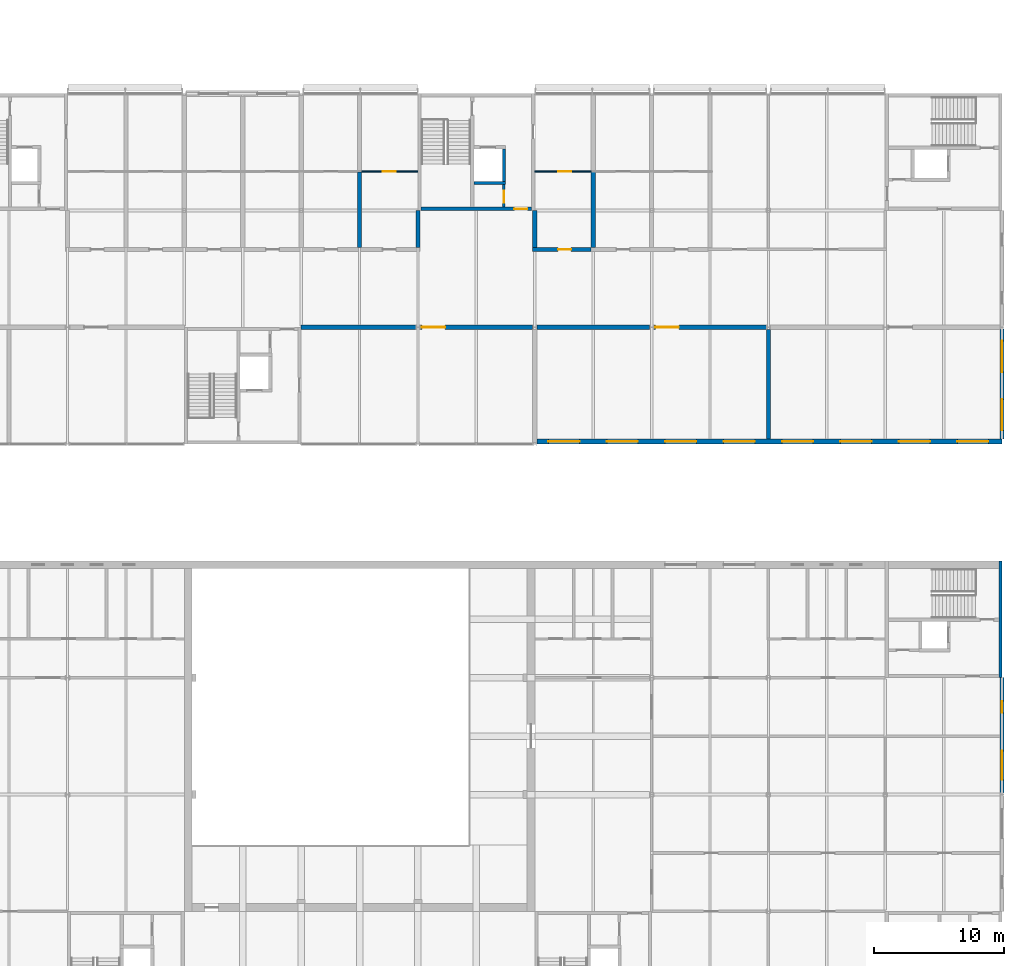
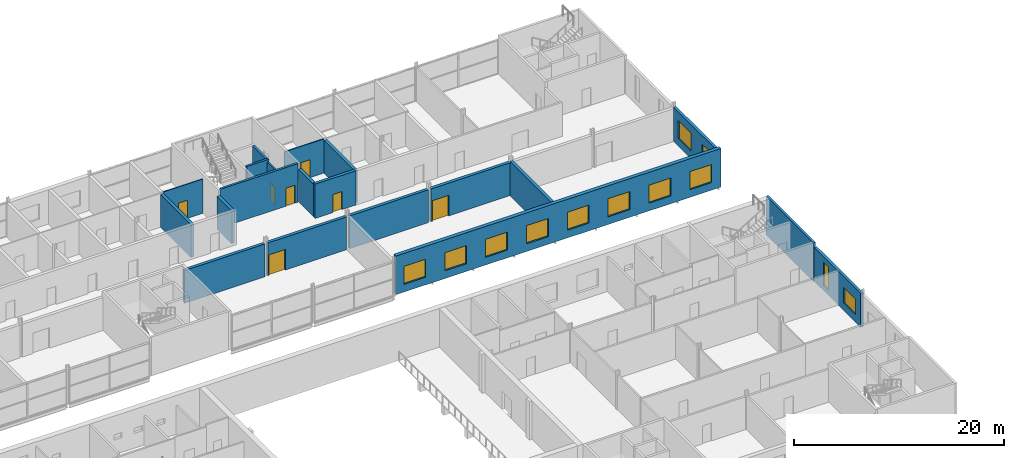
# One storey, part 85 of 97: 20 walls, 12 windows, 7 doors, 19 openings.
"""IFC4 building model written with IfcOpenShell, lengths in metres."""

from ifc_helpers import new_model, si_unit, direction, frame, frame_2d, origin, place, context, subcontext, project, spatial, rectangle, extrude, material, layer, layer_set, type_object, element, fill, save


model = new_model("IFC4")

# Units and contexts
model_context = context("Model", 3, precision=1e-05, world=origin(), true_north=direction((0.0, 1.0)))
body_context = subcontext(model_context, "Body", "Model", "MODEL_VIEW")
ifc_project = project(units=[si_unit("LENGTHUNIT", "METRE"), si_unit("AREAUNIT", "SQUARE_METRE"), si_unit("VOLUMEUNIT", "CUBIC_METRE"), si_unit("PLANEANGLEUNIT", "RADIAN"), si_unit("MASSUNIT", "GRAM", prefix="KILO")], contexts=[model_context])

# Site, building, storey
site_placement = place(None, origin())
site = spatial("IfcSite", under=ifc_project, at=site_placement, CompositionType="ELEMENT")
building_placement = place(site_placement, origin())
building = spatial("IfcBuilding", under=site, at=building_placement, Name="Corbel Yard City Hall", CompositionType="ELEMENT")
storey_placement = place(building_placement, frame((0.0, 0.0, 6.0)))
storey = spatial("IfcBuildingStorey", under=building, at=storey_placement, Name="L01", CompositionType="ELEMENT", Elevation=6.0)

# Wall, openings, windows
ifc_material_1 = material(Name="Concrete N50 (50 MPa)", Category="concrete")
ifc_layer_1 = layer(ifc_material_1, 0.39990234375)
ifc_layer_set_1 = layer_set([ifc_layer_1], Name="Concrete N50 (50 MPa)")
wall_type_1 = type_object("IfcWallType", Name="Bearing wall 400", PredefinedType="SHEAR", material=ifc_layer_set_1)
wall_1_placement = place(storey_placement, frame((144.159912109375, 90.199951171875, 0.0), z_axis=(0.0, 0.0, 1.0), x_axis=(1.0, 0.0, 0.0)))
wall_1 = element("IfcWall", 1, at=wall_1_placement, inside=storey, type_object=wall_type_1, Name="Bearing wall L01 above the ramp trough", PredefinedType="SHEAR", context=body_context, shape_type="SweptSolid", body=[
    extrude(rectangle(XDim=35.840087890625, YDim=0.39990234375, at=frame_2d((17.919921875, 0.0))), origin(), (0.0, 0.0, 1.0), 4.5),
])
opening_1_placement = place(wall_1_placement, frame((0.889892578125, 0.0, 0.89990234375)))
opening_1 = element("IfcOpeningElement", 2, at=opening_1_placement, cuts=wall_1, Name="Opening WN8", PredefinedType="OPENING", context=body_context, shape_type="SweptSolid", body=[
    extrude(rectangle(XDim=2.39990234375, YDim=2.10009765625, at=frame_2d((1.199951171875, 1.050048828125))), frame((0.0, 0.2099609375, 0.0), z_axis=(0.0, -1.0, 0.0), x_axis=(1.0, 0.0, 0.0)), (0.0, 0.0, 1.0), 0.419921875),
])
opening_2_placement = place(wall_1_placement, frame((5.389892578125, 0.0, 0.89990234375)))
opening_2 = element("IfcOpeningElement", 3, at=opening_2_placement, cuts=wall_1, Name="Opening WN8", PredefinedType="OPENING", context=body_context, shape_type="SweptSolid", body=[
    extrude(rectangle(XDim=2.39990234375, YDim=2.10009765625, at=frame_2d((1.199951171875, 1.050048828125))), frame((0.0, 0.2099609375, 0.0), z_axis=(0.0, -1.0, 0.0), x_axis=(1.0, 0.0, 0.0)), (0.0, 0.0, 1.0), 0.419921875),
])
opening_3_placement = place(wall_1_placement, frame((9.889892578125, 0.0, 0.89990234375)))
opening_3 = element("IfcOpeningElement", 4, at=opening_3_placement, cuts=wall_1, Name="Opening WN8", PredefinedType="OPENING", context=body_context, shape_type="SweptSolid", body=[
    extrude(rectangle(XDim=2.39990234375, YDim=2.10009765625, at=frame_2d((1.199951171875, 1.050048828125))), frame((0.0, 0.2099609375, 0.0), z_axis=(0.0, -1.0, 0.0), x_axis=(1.0, 0.0, 0.0)), (0.0, 0.0, 1.0), 0.419921875),
])
opening_4_placement = place(wall_1_placement, frame((14.389892578125, 0.0, 0.89990234375)))
opening_4 = element("IfcOpeningElement", 5, at=opening_4_placement, cuts=wall_1, Name="Opening WN8", PredefinedType="OPENING", context=body_context, shape_type="SweptSolid", body=[
    extrude(rectangle(XDim=2.39990234375, YDim=2.10009765625, at=frame_2d((1.199951171875, 1.050048828125))), frame((0.0, 0.2099609375, 0.0), z_axis=(0.0, -1.0, 0.0), x_axis=(1.0, 0.0, 0.0)), (0.0, 0.0, 1.0), 0.419921875),
])
opening_5_placement = place(wall_1_placement, frame((18.889892578125, 0.0, 0.89990234375)))
opening_5 = element("IfcOpeningElement", 6, at=opening_5_placement, cuts=wall_1, Name="Opening WN8", PredefinedType="OPENING", context=body_context, shape_type="SweptSolid", body=[
    extrude(rectangle(XDim=2.39990234375, YDim=2.10009765625, at=frame_2d((1.199951171875, 1.050048828125))), frame((0.0, 0.2099609375, 0.0), z_axis=(0.0, -1.0, 0.0), x_axis=(1.0, 0.0, 0.0)), (0.0, 0.0, 1.0), 0.419921875),
])
opening_6_placement = place(wall_1_placement, frame((23.389892578125, 0.0, 0.89990234375)))
opening_6 = element("IfcOpeningElement", 7, at=opening_6_placement, cuts=wall_1, Name="Opening WN8", PredefinedType="OPENING", context=body_context, shape_type="SweptSolid", body=[
    extrude(rectangle(XDim=2.39990234375, YDim=2.10009765625, at=frame_2d((1.199951171875, 1.050048828125))), frame((0.0, 0.2099609375, 0.0), z_axis=(0.0, -1.0, 0.0), x_axis=(1.0, 0.0, 0.0)), (0.0, 0.0, 1.0), 0.419921875),
])
opening_7_placement = place(wall_1_placement, frame((27.889892578125, 0.0, 0.89990234375)))
opening_7 = element("IfcOpeningElement", 8, at=opening_7_placement, cuts=wall_1, Name="Opening WN8", PredefinedType="OPENING", context=body_context, shape_type="SweptSolid", body=[
    extrude(rectangle(XDim=2.39990234375, YDim=2.10009765625, at=frame_2d((1.199951171875, 1.050048828125))), frame((0.0, 0.2099609375, 0.0), z_axis=(0.0, -1.0, 0.0), x_axis=(1.0, 0.0, 0.0)), (0.0, 0.0, 1.0), 0.419921875),
])
opening_8_placement = place(wall_1_placement, frame((32.389892578125, 0.0, 0.89990234375)))
opening_8 = element("IfcOpeningElement", 9, at=opening_8_placement, cuts=wall_1, Name="Opening WN8", PredefinedType="OPENING", context=body_context, shape_type="SweptSolid", body=[
    extrude(rectangle(XDim=2.39990234375, YDim=2.10009765625, at=frame_2d((1.199951171875, 1.050048828125))), frame((0.0, 0.2099609375, 0.0), z_axis=(0.0, -1.0, 0.0), x_axis=(1.0, 0.0, 0.0)), (0.0, 0.0, 1.0), 0.419921875),
])
ifc_material_2 = material(Name="Aluminium frame, double glazed low-e glass", Category="aluminium")
window_type_1 = type_object("IfcWindowType", Name="WN8", PartitioningType="SINGLE_PANEL", PredefinedType="WINDOW", material=ifc_material_2)
window_1_placement = place(opening_1_placement, origin())
window_1 = element("IfcWindow", 10, at=window_1_placement, inside=storey, type_object=window_type_1, Name="Window WN8 L01", OverallHeight=2.10009765625, OverallWidth=2.39990234375, PartitioningType="SINGLE_PANEL", PredefinedType="WINDOW", context=body_context, shape_type="SweptSolid", body=[
    extrude(rectangle(XDim=2.39990234375, YDim=2.10009765625, at=frame_2d((1.199951171875, 1.050048828125))), frame((0.0, 0.030029296875, 0.0), z_axis=(0.0, -1.0, 0.0), x_axis=(1.0, 0.0, 0.0)), (0.0, 0.0, 1.0), 0.06005859375),
])
fill(opening_1, window_1)
window_2_placement = place(opening_2_placement, origin())
window_2 = element("IfcWindow", 11, at=window_2_placement, inside=storey, type_object=window_type_1, Name="Window WN8 L01", OverallHeight=2.10009765625, OverallWidth=2.39990234375, PartitioningType="SINGLE_PANEL", PredefinedType="WINDOW", context=body_context, shape_type="SweptSolid", body=[
    extrude(rectangle(XDim=2.39990234375, YDim=2.10009765625, at=frame_2d((1.199951171875, 1.050048828125))), frame((0.0, 0.030029296875, 0.0), z_axis=(0.0, -1.0, 0.0), x_axis=(1.0, 0.0, 0.0)), (0.0, 0.0, 1.0), 0.06005859375),
])
fill(opening_2, window_2)
window_3_placement = place(opening_3_placement, origin())
window_3 = element("IfcWindow", 12, at=window_3_placement, inside=storey, type_object=window_type_1, Name="Window WN8 L01", OverallHeight=2.10009765625, OverallWidth=2.39990234375, PartitioningType="SINGLE_PANEL", PredefinedType="WINDOW", context=body_context, shape_type="SweptSolid", body=[
    extrude(rectangle(XDim=2.39990234375, YDim=2.10009765625, at=frame_2d((1.199951171875, 1.050048828125))), frame((0.0, 0.030029296875, 0.0), z_axis=(0.0, -1.0, 0.0), x_axis=(1.0, 0.0, 0.0)), (0.0, 0.0, 1.0), 0.06005859375),
])
fill(opening_3, window_3)
window_4_placement = place(opening_4_placement, origin())
window_4 = element("IfcWindow", 13, at=window_4_placement, inside=storey, type_object=window_type_1, Name="Window WN8 L01", OverallHeight=2.10009765625, OverallWidth=2.39990234375, PartitioningType="SINGLE_PANEL", PredefinedType="WINDOW", context=body_context, shape_type="SweptSolid", body=[
    extrude(rectangle(XDim=2.39990234375, YDim=2.10009765625, at=frame_2d((1.199951171875, 1.050048828125))), frame((0.0, 0.030029296875, 0.0), z_axis=(0.0, -1.0, 0.0), x_axis=(1.0, 0.0, 0.0)), (0.0, 0.0, 1.0), 0.06005859375),
])
fill(opening_4, window_4)
window_5_placement = place(opening_5_placement, origin())
window_5 = element("IfcWindow", 14, at=window_5_placement, inside=storey, type_object=window_type_1, Name="Window WN8 L01", OverallHeight=2.10009765625, OverallWidth=2.39990234375, PartitioningType="SINGLE_PANEL", PredefinedType="WINDOW", context=body_context, shape_type="SweptSolid", body=[
    extrude(rectangle(XDim=2.39990234375, YDim=2.10009765625, at=frame_2d((1.199951171875, 1.050048828125))), frame((0.0, 0.030029296875, 0.0), z_axis=(0.0, -1.0, 0.0), x_axis=(1.0, 0.0, 0.0)), (0.0, 0.0, 1.0), 0.06005859375),
])
fill(opening_5, window_5)
window_6_placement = place(opening_6_placement, origin())
window_6 = element("IfcWindow", 15, at=window_6_placement, inside=storey, type_object=window_type_1, Name="Window WN8 L01", OverallHeight=2.10009765625, OverallWidth=2.39990234375, PartitioningType="SINGLE_PANEL", PredefinedType="WINDOW", context=body_context, shape_type="SweptSolid", body=[
    extrude(rectangle(XDim=2.39990234375, YDim=2.10009765625, at=frame_2d((1.199951171875, 1.050048828125))), frame((0.0, 0.030029296875, 0.0), z_axis=(0.0, -1.0, 0.0), x_axis=(1.0, 0.0, 0.0)), (0.0, 0.0, 1.0), 0.06005859375),
])
fill(opening_6, window_6)
window_7_placement = place(opening_7_placement, origin())
window_7 = element("IfcWindow", 16, at=window_7_placement, inside=storey, type_object=window_type_1, Name="Window WN8 L01", OverallHeight=2.10009765625, OverallWidth=2.39990234375, PartitioningType="SINGLE_PANEL", PredefinedType="WINDOW", context=body_context, shape_type="SweptSolid", body=[
    extrude(rectangle(XDim=2.39990234375, YDim=2.10009765625, at=frame_2d((1.199951171875, 1.050048828125))), frame((0.0, 0.030029296875, 0.0), z_axis=(0.0, -1.0, 0.0), x_axis=(1.0, 0.0, 0.0)), (0.0, 0.0, 1.0), 0.06005859375),
])
fill(opening_7, window_7)
window_8_placement = place(opening_8_placement, origin())
window_8 = element("IfcWindow", 17, at=window_8_placement, inside=storey, type_object=window_type_1, Name="Window WN8 L01", OverallHeight=2.10009765625, OverallWidth=2.39990234375, PartitioningType="SINGLE_PANEL", PredefinedType="WINDOW", context=body_context, shape_type="SweptSolid", body=[
    extrude(rectangle(XDim=2.39990234375, YDim=2.10009765625, at=frame_2d((1.199951171875, 1.050048828125))), frame((0.0, 0.030029296875, 0.0), z_axis=(0.0, -1.0, 0.0), x_axis=(1.0, 0.0, 0.0)), (0.0, 0.0, 1.0), 0.06005859375),
])
fill(opening_8, window_8)

# Wall
ifc_layer_2 = layer(ifc_material_1, 0.25)
ifc_layer_set_2 = layer_set([ifc_layer_2], Name="Concrete N50 (50 MPa)")
wall_type_2 = type_object("IfcWallType", Name="Core cell wall 250", PredefinedType="SHEAR", material=ifc_layer_set_2)
wall_2_placement = place(storey_placement, frame((179.875, 72.0, 0.0), z_axis=(0.0, 0.0, 1.0), x_axis=(0.0, 1.0, 0.0)))
element("IfcWall", 18, at=wall_2_placement, inside=storey, type_object=wall_type_2, Name="Core PC-M8 east wall", PredefinedType="SHEAR", context=body_context, shape_type="SweptSolid", body=[
    extrude(rectangle(XDim=9.0, YDim=0.25, at=frame_2d((4.5, 0.0))), origin(), (0.0, 0.0, 1.0), 4.5),
])

# Wall, opening, door
wall_3_placement = place(storey_placement, frame((135.25, 108.125, 0.0), z_axis=(0.0, 0.0, 1.0), x_axis=(1.0, 0.0, 0.0)))
wall_3 = element("IfcWall", 19, at=wall_3_placement, inside=storey, type_object=wall_type_2, Name="Core PC-N3 south wall", PredefinedType="SHEAR", context=body_context, shape_type="SweptSolid", body=[
    extrude(rectangle(XDim=8.5, YDim=0.25, at=frame_2d((4.25, 0.0))), origin(), (0.0, 0.0, 1.0), 4.5),
])
opening_9_placement = place(wall_3_placement, frame((7.175048828125, 0.0, 0.0)))
opening_9 = element("IfcOpeningElement", 20, at=opening_9_placement, cuts=wall_3, Name="Opening L01-157", PredefinedType="OPENING", context=body_context, shape_type="SweptSolid", body=[
    extrude(rectangle(XDim=1.0, YDim=2.10009765625, at=frame_2d((0.5, 1.050048828125))), frame((0.0, 0.135009765625, 0.0), z_axis=(0.0, -1.0, 0.0), x_axis=(1.0, 0.0, 0.0)), (0.0, 0.0, 1.0), 0.27001953125),
])
ifc_material_3 = material(Name="Steel Grade G250", Category="steel")
door_type_1 = type_object("IfcDoorType", Name="FS1", OperationType="SINGLE_SWING_LEFT", PredefinedType="DOOR", material=ifc_material_3)
door_1_placement = place(opening_9_placement, origin())
door_1 = element("IfcDoor", 21, at=door_1_placement, inside=storey, type_object=door_type_1, Name="Door Lift Lobby", OperationType="SINGLE_SWING_RIGHT", OverallHeight=2.10009765625, OverallWidth=1.0, PredefinedType="DOOR", context=body_context, shape_type="SweptSolid", body=[
    extrude(rectangle(XDim=1.0, YDim=2.10009765625, at=frame_2d((0.5, 1.050048828125))), frame((0.0, 0.02490234375, 0.0), z_axis=(0.0, -1.0, 0.0), x_axis=(1.0, 0.0, 0.0)), (0.0, 0.0, 1.0), 0.050048828125),
])
fill(opening_9, door_1)

# Wall, openings, windows
ifc_material_4 = material(Name="Sandstone cladding", Category="masonry")
ifc_layer_3 = layer(ifc_material_4, 0.0400390625)
ifc_material_5 = material(Name="Air cavity", Category="air")
ifc_layer_4 = layer(ifc_material_5, 0.0400390625)
ifc_material_6 = material(Name="Concrete block", Category="concrete")
ifc_layer_5 = layer(ifc_material_6, 0.18994140625)
ifc_material_7 = material(Name="Gypsum plasterboard", Category="gypsum")
ifc_layer_6 = layer(ifc_material_7, 0.030029296875)
ifc_layer_set_3 = layer_set([ifc_layer_3, ifc_layer_4, ifc_layer_5, ifc_layer_6], Name="Concrete block")
wall_type_3 = type_object("IfcWallType", Name="EW1", PredefinedType="SOLIDWALL", material=ifc_layer_set_3)
wall_4_placement = place(storey_placement, frame((180.0, 63.1279296875, 0.0), z_axis=(0.0, 0.0, 1.0), x_axis=(0.0, 1.0, 0.0)))
wall_4 = element("IfcWall", 22, at=wall_4_placement, inside=storey, type_object=wall_type_3, Name="External wall", PredefinedType="SOLIDWALL", context=body_context, shape_type="SweptSolid", body=[
    extrude(rectangle(XDim=8.8720703125, YDim=0.300048828125, at=frame_2d((4.43603515625, 0.0))), origin(), (0.0, 0.0, 1.0), 3.947021484375),
])
opening_10_placement = place(wall_4_placement, frame((0.9970703125, 0.0, 0.89990234375)))
opening_10 = element("IfcOpeningElement", 23, at=opening_10_placement, cuts=wall_4, Name="Opening WN15", PredefinedType="OPENING", context=body_context, shape_type="SweptSolid", body=[
    extrude(rectangle(XDim=2.25, YDim=1.800048828125, at=frame_2d((1.125, 0.89990234375))), frame((0.0, 0.159912109375, 0.0), z_axis=(0.0, -1.0, 0.0), x_axis=(1.0, 0.0, 0.0)), (0.0, 0.0, 1.0), 0.320068359375),
])
opening_11_placement = place(wall_4_placement, frame((6.172119140625, 0.0, 0.60009765625)))
opening_11 = element("IfcOpeningElement", 24, at=opening_11_placement, cuts=wall_4, Name="Opening WN14", PredefinedType="OPENING", context=body_context, shape_type="SweptSolid", body=[
    extrude(rectangle(XDim=0.89990234375, YDim=2.699951171875, at=frame_2d((0.449951171875, 1.35009765625))), frame((0.0, 0.159912109375, 0.0), z_axis=(0.0, -1.0, 0.0), x_axis=(1.0, 0.0, 0.0)), (0.0, 0.0, 1.0), 0.320068359375),
])
window_type_2 = type_object("IfcWindowType", Name="WN14", PartitioningType="SINGLE_PANEL", PredefinedType="WINDOW", material=ifc_material_2)
window_9_placement = place(opening_11_placement, origin())
window_9 = element("IfcWindow", 25, at=window_9_placement, inside=storey, type_object=window_type_2, Name="Window WN14 L01", OverallHeight=2.699951171875, OverallWidth=0.89990234375, PartitioningType="SINGLE_PANEL", PredefinedType="WINDOW", context=body_context, shape_type="SweptSolid", body=[
    extrude(rectangle(XDim=0.89990234375, YDim=2.699951171875, at=frame_2d((0.449951171875, 1.35009765625))), frame((0.0, 0.030029296875, 0.0), z_axis=(0.0, -1.0, 0.0), x_axis=(1.0, 0.0, 0.0)), (0.0, 0.0, 1.0), 0.06005859375),
])
fill(opening_11, window_9)
window_type_3 = type_object("IfcWindowType", Name="WN15", PartitioningType="SINGLE_PANEL", PredefinedType="WINDOW", material=ifc_material_2)
window_10_placement = place(opening_10_placement, origin())
window_10 = element("IfcWindow", 26, at=window_10_placement, inside=storey, type_object=window_type_3, Name="Window WN15 L01", OverallHeight=1.800048828125, OverallWidth=2.25, PartitioningType="SINGLE_PANEL", PredefinedType="WINDOW", context=body_context, shape_type="SweptSolid", body=[
    extrude(rectangle(XDim=2.25, YDim=1.800048828125, at=frame_2d((1.125, 0.89990234375))), frame((0.0, 0.030029296875, 0.0), z_axis=(0.0, -1.0, 0.0), x_axis=(1.0, 0.0, 0.0)), (0.0, 0.0, 1.0), 0.06005859375),
])
fill(opening_10, window_10)

wall_5_placement = place(storey_placement, frame((180.0, 90.39990234375, 0.0), z_axis=(0.0, 0.0, 1.0), x_axis=(0.0, 1.0, 0.0)))
wall_5 = element("IfcWall", 27, at=wall_5_placement, inside=storey, type_object=wall_type_3, Name="External wall", PredefinedType="SOLIDWALL", context=body_context, shape_type="SweptSolid", body=[
    extrude(rectangle(XDim=8.47216796875, YDim=0.300048828125, at=frame_2d((4.236083984375, 0.0))), origin(), (0.0, 0.0, 1.0), 3.990966796875),
])
opening_12_placement = place(wall_5_placement, frame((0.64990234375, 0.0, 0.89990234375)))
opening_12 = element("IfcOpeningElement", 28, at=opening_12_placement, cuts=wall_5, Name="Opening WN8", PredefinedType="OPENING", context=body_context, shape_type="SweptSolid", body=[
    extrude(rectangle(XDim=2.39990234375, YDim=2.10009765625, at=frame_2d((1.199951171875, 1.050048828125))), frame((0.0, 0.159912109375, 0.0), z_axis=(0.0, -1.0, 0.0), x_axis=(1.0, 0.0, 0.0)), (0.0, 0.0, 1.0), 0.320068359375),
])
opening_13_placement = place(wall_5_placement, frame((5.14990234375, 0.0, 0.89990234375)))
opening_13 = element("IfcOpeningElement", 29, at=opening_13_placement, cuts=wall_5, Name="Opening WN8", PredefinedType="OPENING", context=body_context, shape_type="SweptSolid", body=[
    extrude(rectangle(XDim=2.39990234375, YDim=2.10009765625, at=frame_2d((1.199951171875, 1.050048828125))), frame((0.0, 0.159912109375, 0.0), z_axis=(0.0, -1.0, 0.0), x_axis=(1.0, 0.0, 0.0)), (0.0, 0.0, 1.0), 0.320068359375),
])
window_11_placement = place(opening_12_placement, origin())
window_11 = element("IfcWindow", 30, at=window_11_placement, inside=storey, type_object=window_type_1, Name="Window WN8 L01", OverallHeight=2.10009765625, OverallWidth=2.39990234375, PartitioningType="SINGLE_PANEL", PredefinedType="WINDOW", context=body_context, shape_type="SweptSolid", body=[
    extrude(rectangle(XDim=2.39990234375, YDim=2.10009765625, at=frame_2d((1.199951171875, 1.050048828125))), frame((0.0, 0.030029296875, 0.0), z_axis=(0.0, -1.0, 0.0), x_axis=(1.0, 0.0, 0.0)), (0.0, 0.0, 1.0), 0.06005859375),
])
fill(opening_12, window_11)
window_12_placement = place(opening_13_placement, origin())
window_12 = element("IfcWindow", 31, at=window_12_placement, inside=storey, type_object=window_type_1, Name="Window WN8 L01", OverallHeight=2.10009765625, OverallWidth=2.39990234375, PartitioningType="SINGLE_PANEL", PredefinedType="WINDOW", context=body_context, shape_type="SweptSolid", body=[
    extrude(rectangle(XDim=2.39990234375, YDim=2.10009765625, at=frame_2d((1.199951171875, 1.050048828125))), frame((0.0, 0.030029296875, 0.0), z_axis=(0.0, -1.0, 0.0), x_axis=(1.0, 0.0, 0.0)), (0.0, 0.0, 1.0), 0.06005859375),
])
fill(opening_13, window_12)

# Walls
ifc_material_8 = material(Name="Concrete N40 (40 MPa)", Category="concrete")
ifc_layer_7 = layer(ifc_material_8, 0.25)
ifc_layer_set_4 = layer_set([ifc_layer_7], Name="Concrete N40 (40 MPa)")
wall_type_4 = type_object("IfcWallType", Name="IW2", PredefinedType="SOLIDWALL", material=ifc_layer_set_4)
wall_6_placement = place(storey_placement, frame((139.300048828125, 110.125, 0.0), z_axis=(0.0, 0.0, 1.0), x_axis=(1.0, 0.0, 0.0)))
element("IfcWall", 32, at=wall_6_placement, inside=storey, type_object=wall_type_4, Name="Lift LP18 shaft wall", PredefinedType="SOLIDWALL", context=body_context, shape_type="SweptSolid", body=[
    extrude(rectangle(XDim=2.449951171875, YDim=0.25, at=frame_2d((1.22509765625, 0.0))), origin(), (0.0, 0.0, 1.0), 4.5),
])
wall_7_placement = place(storey_placement, frame((141.625, 110.25, 0.0), z_axis=(0.0, 0.0, 1.0), x_axis=(0.0, 1.0, 0.0)))
element("IfcWall", 33, at=wall_7_placement, inside=storey, type_object=wall_type_4, Name="Lift LP18 shaft wall", PredefinedType="SOLIDWALL", context=body_context, shape_type="SweptSolid", body=[
    extrude(rectangle(XDim=2.5, YDim=0.25, at=frame_2d((1.25, 0.0))), origin(), (0.0, 0.0, 1.0), 4.5),
])
ifc_layer_8 = layer(ifc_material_7, 0.031982421875)
ifc_material_9 = material(Name="Steel Grade G550 (550 MPa yield)", Category="steel")
ifc_layer_9 = layer(ifc_material_9, 0.260986328125)
ifc_layer_10 = layer(ifc_material_7, 0.031982421875)
ifc_layer_set_5 = layer_set([ifc_layer_8, ifc_layer_9, ifc_layer_10], Name="Steel Grade G550 (550 MPa yield)")
wall_type_5 = type_object("IfcWallType", Name="PT20", PredefinedType="PARTITIONING", material=ifc_layer_set_5)
wall_8_placement = place(storey_placement, frame((126.0, 99.0, 0.0), z_axis=(0.0, 0.0, 1.0), x_axis=(1.0, 0.0, 0.0)))
element("IfcWall", 34, at=wall_8_placement, inside=storey, type_object=wall_type_5, Name="Acoustic partition", PredefinedType="PARTITIONING", context=body_context, shape_type="SweptSolid", body=[
    extrude(rectangle(XDim=8.842529296875, YDim=0.324951171875, at=frame_2d((4.42138671875, 0.0))), origin(), (0.0, 0.0, 1.0), 3.822021484375),
])

# Wall, opening, door
wall_9_placement = place(storey_placement, frame((135.157470703125, 99.0, 0.0), z_axis=(0.0, 0.0, 1.0), x_axis=(1.0, 0.0, 0.0)))
wall_9 = element("IfcWall", 35, at=wall_9_placement, inside=storey, type_object=wall_type_5, Name="Acoustic partition", PredefinedType="PARTITIONING", context=body_context, shape_type="SweptSolid", body=[
    extrude(rectangle(XDim=8.68505859375, YDim=0.324951171875, at=frame_2d((4.342529296875, 0.0))), origin(), (0.0, 0.0, 1.0), 3.822021484375),
])
opening_14_placement = place(wall_9_placement, frame((0.142578125, 0.0, 0.0)))
opening_14 = element("IfcOpeningElement", 36, at=opening_14_placement, cuts=wall_9, Name="Opening L01-183", PredefinedType="OPENING", context=body_context, shape_type="SweptSolid", body=[
    extrude(rectangle(XDim=1.800048828125, YDim=2.39990234375, at=frame_2d((0.89990234375, 1.199951171875))), frame((0.0, 0.17236328125, 0.0), z_axis=(0.0, -1.0, 0.0), x_axis=(1.0, 0.0, 0.0)), (0.0, 0.0, 1.0), 0.344970703125),
])
ifc_material_10 = material(Name="Timber", Category="wood")
door_type_2 = type_object("IfcDoorType", Name="D38", OperationType="DOUBLE_DOOR_SINGLE_SWING", PredefinedType="DOOR", material=ifc_material_10)
door_2_placement = place(opening_14_placement, origin())
door_2 = element("IfcDoor", 37, at=door_2_placement, inside=storey, type_object=door_type_2, Name="Door Committee Room 16", OperationType="DOUBLE_DOOR_SINGLE_SWING", OverallHeight=2.39990234375, OverallWidth=1.800048828125, PredefinedType="DOOR", context=body_context, shape_type="SweptSolid", body=[
    extrude(rectangle(XDim=1.800048828125, YDim=2.39990234375, at=frame_2d((0.89990234375, 1.199951171875))), frame((0.0, 0.02490234375, 0.0), z_axis=(0.0, -1.0, 0.0), x_axis=(1.0, 0.0, 0.0)), (0.0, 0.0, 1.0), 0.050048828125),
])
fill(opening_14, door_2)

# Wall
wall_10_placement = place(storey_placement, frame((144.157470703125, 99.0, 0.0), z_axis=(0.0, 0.0, 1.0), x_axis=(1.0, 0.0, 0.0)))
element("IfcWall", 38, at=wall_10_placement, inside=storey, type_object=wall_type_5, Name="Acoustic partition", PredefinedType="PARTITIONING", context=body_context, shape_type="SweptSolid", body=[
    extrude(rectangle(XDim=8.68505859375, YDim=0.324951171875, at=frame_2d((4.342529296875, 0.0))), origin(), (0.0, 0.0, 1.0), 3.822021484375),
])

# Wall, opening, door
wall_11_placement = place(storey_placement, frame((153.157470703125, 99.0, 0.0), z_axis=(0.0, 0.0, 1.0), x_axis=(1.0, 0.0, 0.0)))
wall_11 = element("IfcWall", 39, at=wall_11_placement, inside=storey, type_object=wall_type_5, Name="Acoustic partition", PredefinedType="PARTITIONING", context=body_context, shape_type="SweptSolid", body=[
    extrude(rectangle(XDim=8.68505859375, YDim=0.324951171875, at=frame_2d((4.342529296875, 0.0))), origin(), (0.0, 0.0, 1.0), 3.822021484375),
])
opening_15_placement = place(wall_11_placement, frame((0.142578125, 0.0, 0.0)))
opening_15 = element("IfcOpeningElement", 40, at=opening_15_placement, cuts=wall_11, Name="Opening L01-184", PredefinedType="OPENING", context=body_context, shape_type="SweptSolid", body=[
    extrude(rectangle(XDim=1.800048828125, YDim=2.39990234375, at=frame_2d((0.89990234375, 1.199951171875))), frame((0.0, 0.17236328125, 0.0), z_axis=(0.0, -1.0, 0.0), x_axis=(1.0, 0.0, 0.0)), (0.0, 0.0, 1.0), 0.344970703125),
])
door_3_placement = place(opening_15_placement, origin())
door_3 = element("IfcDoor", 41, at=door_3_placement, inside=storey, type_object=door_type_2, Name="Door Committee Room 17", OperationType="DOUBLE_DOOR_SINGLE_SWING", OverallHeight=2.39990234375, OverallWidth=1.800048828125, PredefinedType="DOOR", context=body_context, shape_type="SweptSolid", body=[
    extrude(rectangle(XDim=1.800048828125, YDim=2.39990234375, at=frame_2d((0.89990234375, 1.199951171875))), frame((0.0, 0.02490234375, 0.0), z_axis=(0.0, -1.0, 0.0), x_axis=(1.0, 0.0, 0.0)), (0.0, 0.0, 1.0), 0.050048828125),
])
fill(opening_15, door_3)

wall_12_placement = place(storey_placement, frame((143.83740234375, 105.0, 0.0), z_axis=(0.0, 0.0, 1.0), x_axis=(1.0, 0.0, 0.0)))
wall_12 = element("IfcWall", 42, at=wall_12_placement, inside=storey, type_object=wall_type_5, Name="Acoustic partition", PredefinedType="PARTITIONING", context=body_context, shape_type="SweptSolid", body=[
    extrude(rectangle(XDim=4.5, YDim=0.324951171875, at=frame_2d((2.25, 0.0))), origin(), (0.0, 0.0, 1.0), 3.993896484375),
])
opening_16_placement = place(wall_12_placement, frame((1.96240234375, 0.0, 0.0)))
opening_16 = element("IfcOpeningElement", 43, at=opening_16_placement, cuts=wall_12, Name="Opening L01-214", PredefinedType="OPENING", context=body_context, shape_type="SweptSolid", body=[
    extrude(rectangle(XDim=1.0, YDim=2.10009765625, at=frame_2d((0.5, 1.050048828125))), frame((0.0, 0.17236328125, 0.0), z_axis=(0.0, -1.0, 0.0), x_axis=(1.0, 0.0, 0.0)), (0.0, 0.0, 1.0), 0.344970703125),
])
door_type_3 = type_object("IfcDoorType", Name="D1", OperationType="SINGLE_SWING_LEFT", PredefinedType="DOOR", material=ifc_material_10)
door_4_placement = place(opening_16_placement, origin())
door_4 = element("IfcDoor", 44, at=door_4_placement, inside=storey, type_object=door_type_3, Name="Door Councillor's Assistant Room 15", OperationType="SINGLE_SWING_RIGHT", OverallHeight=2.10009765625, OverallWidth=1.0, PredefinedType="DOOR", context=body_context, shape_type="SweptSolid", body=[
    extrude(rectangle(XDim=1.0, YDim=2.10009765625, at=frame_2d((0.5, 1.050048828125))), frame((0.0, 0.02490234375, 0.0), z_axis=(0.0, -1.0, 0.0), x_axis=(1.0, 0.0, 0.0)), (0.0, 0.0, 1.0), 0.050048828125),
])
fill(opening_16, door_4)

# Walls
wall_13_placement = place(storey_placement, frame((130.5, 105.16259765625, 0.0), z_axis=(0.0, 0.0, 1.0), x_axis=(0.0, 1.0, 0.0)))
element("IfcWall", 45, at=wall_13_placement, inside=storey, type_object=wall_type_5, Name="Acoustic partition", PredefinedType="PARTITIONING", context=body_context, shape_type="SweptSolid", body=[
    extrude(rectangle(XDim=5.787353515625, YDim=0.324951171875, at=frame_2d((2.8935546875, 0.0))), origin(), (0.0, 0.0, 1.0), 3.822021484375),
])
for number, where, z_axis, x_axis, name in (
    (46, (135.0, 105.16259765625, 0.0), (0.0, 0.0, 1.0), (0.0, 1.0, 0.0), "Acoustic partition"),
    (47, (144.0, 105.16259765625, 0.0), (0.0, 0.0, 1.0), (0.0, 1.0, 0.0), "Acoustic partition"),
):
    element("IfcWall", number, at=place(storey_placement, frame(where, z_axis=z_axis, x_axis=x_axis)), inside=storey, type_object=wall_type_5, Name=name, PredefinedType="PARTITIONING", context=body_context, shape_type="SweptSolid", body=[
        extrude(rectangle(XDim=2.83740234375, YDim=0.324951171875, at=frame_2d((1.418701171875, 0.0))), origin(), (0.0, 0.0, 1.0), 3.822021484375),
    ])
wall_14_placement = place(storey_placement, frame((148.5, 105.16259765625, 0.0), z_axis=(0.0, 0.0, 1.0), x_axis=(0.0, 1.0, 0.0)))
element("IfcWall", 48, at=wall_14_placement, inside=storey, type_object=wall_type_5, Name="Acoustic partition", PredefinedType="PARTITIONING", context=body_context, shape_type="SweptSolid", body=[
    extrude(rectangle(XDim=5.787353515625, YDim=0.324951171875, at=frame_2d((2.8935546875, 0.0))), origin(), (0.0, 0.0, 1.0), 3.822021484375),
])
wall_15_placement = place(storey_placement, frame((162.0, 90.39990234375, 0.0), z_axis=(0.0, 0.0, 1.0), x_axis=(0.0, 1.0, 0.0)))
element("IfcWall", 49, at=wall_15_placement, inside=storey, type_object=wall_type_5, Name="Acoustic partition", PredefinedType="PARTITIONING", context=body_context, shape_type="SweptSolid", body=[
    extrude(rectangle(XDim=8.442626953125, YDim=0.324951171875, at=frame_2d((4.22119140625, 0.0))), origin(), (0.0, 0.0, 1.0), 3.998046875),
])

# Wall, opening, door
ifc_layer_11 = layer(ifc_material_7, 0.01806640625)
ifc_layer_12 = layer(ifc_material_9, 0.06396484375)
ifc_layer_13 = layer(ifc_material_7, 0.01806640625)
ifc_layer_set_6 = layer_set([ifc_layer_11, ifc_layer_12, ifc_layer_13], Name="Steel Grade G550 (550 MPa yield)")
wall_type_6 = type_object("IfcWallType", Name="PT23", PredefinedType="PARTITIONING", material=ifc_layer_set_6)
wall_16_placement = place(storey_placement, frame((130.66259765625, 111.0, 0.0), z_axis=(0.0, 0.0, 1.0), x_axis=(1.0, 0.0, 0.0)))
wall_16 = element("IfcWall", 50, at=wall_16_placement, inside=storey, type_object=wall_type_6, Name="Light partition", PredefinedType="PARTITIONING", context=body_context, shape_type="SweptSolid", body=[
    extrude(rectangle(XDim=4.33740234375, YDim=0.10009765625, at=frame_2d((2.168701171875, 0.0))), origin(), (0.0, 0.0, 1.0), 3.993896484375),
])
opening_17_placement = place(wall_16_placement, frame((1.637451171875, 0.0, 0.0)))
opening_17 = element("IfcOpeningElement", 51, at=opening_17_placement, cuts=wall_16, Name="Opening L01-213", PredefinedType="OPENING", context=body_context, shape_type="SweptSolid", body=[
    extrude(rectangle(XDim=1.0, YDim=2.10009765625, at=frame_2d((0.5, 1.050048828125))), frame((0.0, 0.06005859375, 0.0), z_axis=(0.0, -1.0, 0.0), x_axis=(1.0, 0.0, 0.0)), (0.0, 0.0, 1.0), 0.1201171875),
])
door_5_placement = place(opening_17_placement, origin())
door_5 = element("IfcDoor", 52, at=door_5_placement, inside=storey, type_object=door_type_3, Name="Door Councillor's Office 14", OperationType="SINGLE_SWING_LEFT", OverallHeight=2.10009765625, OverallWidth=1.0, PredefinedType="DOOR", context=body_context, shape_type="SweptSolid", body=[
    extrude(rectangle(XDim=1.0, YDim=2.10009765625, at=frame_2d((0.5, 1.050048828125))), frame((0.0, 0.02490234375, 0.0), z_axis=(0.0, -1.0, 0.0), x_axis=(1.0, 0.0, 0.0)), (0.0, 0.0, 1.0), 0.050048828125),
])
fill(opening_17, door_5)

wall_17_placement = place(storey_placement, frame((144.0, 111.0, 0.0), z_axis=(0.0, 0.0, 1.0), x_axis=(1.0, 0.0, 0.0)))
wall_17 = element("IfcWall", 53, at=wall_17_placement, inside=storey, type_object=wall_type_6, Name="Light partition", PredefinedType="PARTITIONING", context=body_context, shape_type="SweptSolid", body=[
    extrude(rectangle(XDim=4.33740234375, YDim=0.10009765625, at=frame_2d((2.168701171875, 0.0))), origin(), (0.0, 0.0, 1.0), 3.993896484375),
])
opening_18_placement = place(wall_17_placement, frame((1.800048828125, 0.0, 0.0)))
opening_18 = element("IfcOpeningElement", 54, at=opening_18_placement, cuts=wall_17, Name="Opening L01-215", PredefinedType="OPENING", context=body_context, shape_type="SweptSolid", body=[
    extrude(rectangle(XDim=1.0, YDim=2.10009765625, at=frame_2d((0.5, 1.050048828125))), frame((0.0, 0.06005859375, 0.0), z_axis=(0.0, -1.0, 0.0), x_axis=(1.0, 0.0, 0.0)), (0.0, 0.0, 1.0), 0.1201171875),
])
door_6_placement = place(opening_18_placement, origin())
door_6 = element("IfcDoor", 55, at=door_6_placement, inside=storey, type_object=door_type_3, Name="Door Councillor's Office 15", OperationType="SINGLE_SWING_RIGHT", OverallHeight=2.10009765625, OverallWidth=1.0, PredefinedType="DOOR", context=body_context, shape_type="SweptSolid", body=[
    extrude(rectangle(XDim=1.0, YDim=2.10009765625, at=frame_2d((0.5, 1.050048828125))), frame((0.0, 0.02490234375, 0.0), z_axis=(0.0, -1.0, 0.0), x_axis=(1.0, 0.0, 0.0)), (0.0, 0.0, 1.0), 0.050048828125),
])
fill(opening_18, door_6)

ifc_material_11 = material(Name="Concrete block", Category="concrete")
ifc_layer_14 = layer(ifc_material_11, 0.18994140625)
ifc_layer_set_7 = layer_set([ifc_layer_14], Name="Concrete block")
wall_type_7 = type_object("IfcWallType", Name="PT4", PredefinedType="PARTITIONING", material=ifc_layer_set_7)
wall_18_placement = place(storey_placement, frame((141.625, 108.25, 0.0), z_axis=(0.0, 0.0, 1.0), x_axis=(0.0, 1.0, 0.0)))
wall_18 = element("IfcWall", 56, at=wall_18_placement, inside=storey, type_object=wall_type_7, Name="Fire-resisting block wall", PredefinedType="PARTITIONING", context=body_context, shape_type="SweptSolid", body=[
    extrude(rectangle(XDim=1.75, YDim=0.18994140625, at=frame_2d((0.875, 0.0))), origin(), (0.0, 0.0, 1.0), 4.25),
])
opening_19_placement = place(wall_18_placement, frame((0.3525390625, 0.0, 0.0)))
opening_19 = element("IfcOpeningElement", 57, at=opening_19_placement, cuts=wall_18, Name="Opening L01-146", PredefinedType="OPENING", context=body_context, shape_type="SweptSolid", body=[
    extrude(rectangle(XDim=0.919921875, YDim=2.10009765625, at=frame_2d((0.4599609375, 1.050048828125))), frame((0.0, 0.10498046875, 0.0), z_axis=(0.0, -1.0, 0.0), x_axis=(1.0, 0.0, 0.0)), (0.0, 0.0, 1.0), 0.2099609375),
])
door_type_4 = type_object("IfcDoorType", Name="FS5", OperationType="SINGLE_SWING_RIGHT", PredefinedType="DOOR", material=ifc_material_3)
door_7_placement = place(opening_19_placement, origin())
door_7 = element("IfcDoor", 58, at=door_7_placement, inside=storey, type_object=door_type_4, Name="Door Service Riser", OperationType="SINGLE_SWING_LEFT", OverallHeight=2.10009765625, OverallWidth=0.919921875, PredefinedType="DOOR", context=body_context, shape_type="SweptSolid", body=[
    extrude(rectangle(XDim=0.919921875, YDim=2.10009765625, at=frame_2d((0.4599609375, 1.050048828125))), frame((0.0, 0.02490234375, 0.0), z_axis=(0.0, -1.0, 0.0), x_axis=(1.0, 0.0, 0.0)), (0.0, 0.0, 1.0), 0.050048828125),
])
fill(opening_19, door_7)

save(model, "model.ifc")
